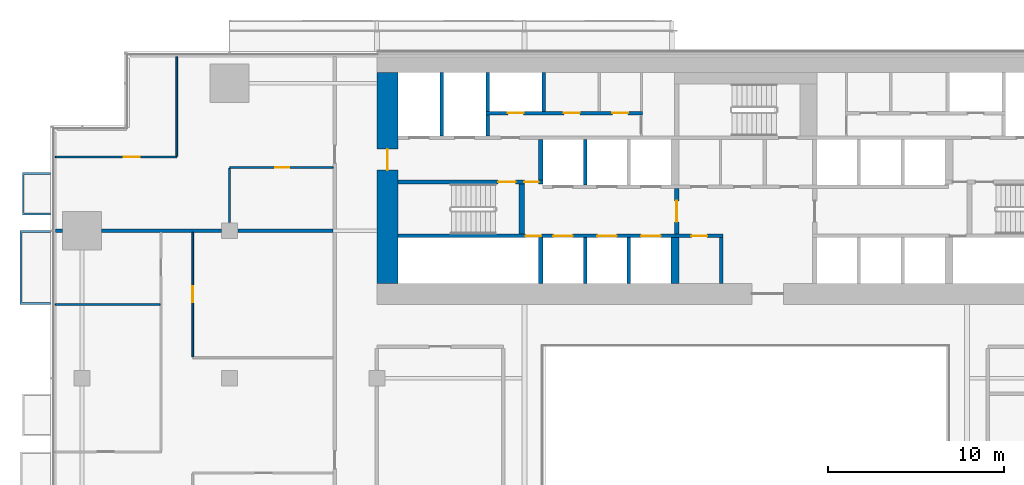
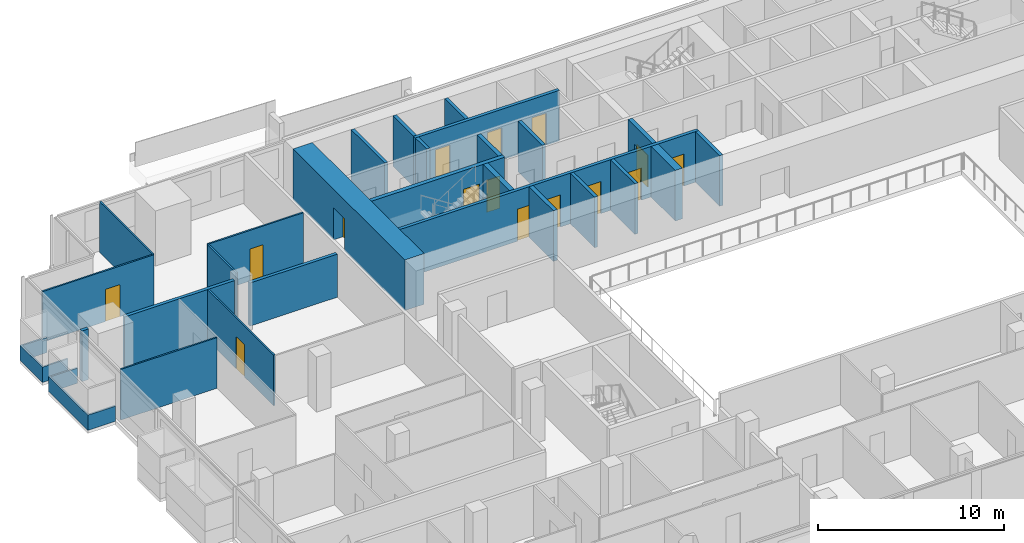
# One storey, part 20 of 27: 28 walls, 15 doors, 15 openings.
"""IFC4 building model written with IfcOpenShell, lengths in metres."""

from ifc_helpers import new_model, si_unit, direction, frame, frame_2d, origin, place, context, subcontext, project, spatial, polyline, rectangle, outline, extrude, material, layer, layer_set, type_object, element, fill, save


model = new_model("IFC4")

# Units and contexts
model_context = context("Model", 3, precision=1e-05, world=origin(), true_north=direction((0.0, 1.0)))
body_context = subcontext(model_context, "Body", "Model", "MODEL_VIEW")
ifc_project = project(units=[si_unit("LENGTHUNIT", "METRE"), si_unit("AREAUNIT", "SQUARE_METRE"), si_unit("VOLUMEUNIT", "CUBIC_METRE"), si_unit("PLANEANGLEUNIT", "RADIAN"), si_unit("MASSUNIT", "GRAM", prefix="KILO")], contexts=[model_context])

# Site, building, storey
site_placement = place(None, origin())
site = spatial("IfcSite", under=ifc_project, at=site_placement, CompositionType="ELEMENT")
building_placement = place(site_placement, origin())
building = spatial("IfcBuilding", under=site, at=building_placement, Name="Saffron Gate Tower", CompositionType="ELEMENT")
storey_placement = place(building_placement, frame((0.0, 0.0, 44.39990234375)))
storey = spatial("IfcBuildingStorey", under=building, at=storey_placement, Name="L09", CompositionType="ELEMENT", Elevation=44.39990234375)

# Wall, opening, door
ifc_material_1 = material(Name="Concrete C70", Category="concrete")
ifc_layer_1 = layer(ifc_material_1, 1.199951171875)
ifc_layer_set_1 = layer_set([ifc_layer_1], Name="CW1 RC core wall 1200 C70")
wall_type_1 = type_object("IfcWallType", Name="CW1 RC core wall 1200 C70", PredefinedType="SOLIDWALL", material=ifc_layer_set_1)
wall_1_placement = place(storey_placement, frame((67.199951171875, 62.39990234375, 0.0), z_axis=(0.0, 0.0, 1.0), x_axis=(0.0, 1.0, 0.0)))
wall_1 = element("IfcWall", 1, at=wall_1_placement, inside=storey, type_object=wall_type_1, Name="Wall CW1-L09-3", PredefinedType="SOLIDWALL", context=body_context, shape_type="SweptSolid", body=[
    extrude(rectangle(XDim=12.0, YDim=1.199951171875, at=frame_2d((6.0, 0.0))), origin(), (0.0, 0.0, 1.0), 3.320068359375),
])
opening_1_placement = place(wall_1_placement, frame((6.449951171875, 0.0, 0.0)))
opening_1 = element("IfcOpeningElement", 2, at=opening_1_placement, cuts=wall_1, Name="Opening CR-10", PredefinedType="OPENING", context=body_context, shape_type="SweptSolid", body=[
    extrude(rectangle(XDim=1.199951171875, YDim=2.10009765625, at=frame_2d((0.60009765625, 1.050048828125))), frame((0.0, 0.60986328125, 0.0), z_axis=(0.0, -1.0, 0.0), x_axis=(1.0, 0.0, 0.0)), (0.0, 0.0, 1.0), 1.219970703125),
])
ifc_material_2 = material(Name="Steel fire door set", Category="steel")
door_type_1 = type_object("IfcDoorType", Name="CD7 Core entrance door 1200x2100 EI 120", OperationType="NOTDEFINED", PredefinedType="DOOR", material=ifc_material_2)
door_1_placement = place(opening_1_placement, origin())
door_1 = element("IfcDoor", 3, at=door_1_placement, inside=storey, type_object=door_type_1, Name="DOOR CR-10", OperationType="SINGLE_SWING_LEFT", OverallHeight=2.10009765625, OverallWidth=1.199951171875, PredefinedType="DOOR", context=body_context, shape_type="SweptSolid", body=[
    extrude(rectangle(XDim=1.199951171875, YDim=2.10009765625, at=frame_2d((0.60009765625, 1.050048828125))), frame((0.0, 0.02490234375, 0.0), z_axis=(0.0, -1.0, 0.0), x_axis=(1.0, 0.0, 0.0)), (0.0, 0.0, 1.0), 0.050048828125),
])
fill(opening_1, door_1)

# Walls
ifc_material_3 = material(Name="Gypsum board partition on steel studs", Category="steel")
ifc_layer_2 = layer(ifc_material_3, 0.199951171875)
ifc_layer_set_2 = layer_set([ifc_layer_2], Name="CW10 Core partition 200")
wall_type_2 = type_object("IfcWallType", Name="CW10 Core partition 200", PredefinedType="PARTITIONING", material=ifc_layer_set_2)
wall_2_placement = place(storey_placement, frame((86.199951171875, 62.39990234375, 0.0), z_axis=(0.0, 0.0, 1.0), x_axis=(0.0, 1.0, 0.0)))
element("IfcWall", 4, at=wall_2_placement, inside=storey, type_object=wall_type_2, Name="Wall CW10-L09-9", PredefinedType="PARTITIONING", context=body_context, shape_type="SweptSolid", body=[
    extrude(rectangle(XDim=2.60009765625, YDim=0.199951171875, at=frame_2d((1.300048828125, 0.0))), origin(), (0.0, 0.0, 1.0), 3.320068359375),
])
ifc_layer_3 = layer(ifc_material_1, 0.25)
ifc_layer_set_3 = layer_set([ifc_layer_3], Name="CW2 RC core wall 250 C70")
wall_type_3 = type_object("IfcWallType", Name="CW2 RC core wall 250 C70", PredefinedType="SOLIDWALL", material=ifc_layer_set_3)
wall_3_placement = place(storey_placement, frame((75.925048828125, 62.39990234375, 0.0), z_axis=(0.0, 0.0, 1.0), x_axis=(0.0, 1.0, 0.0)))
element("IfcWall", 5, at=wall_3_placement, inside=storey, type_object=wall_type_3, Name="Wall CW2-L09-5", PredefinedType="SOLIDWALL", context=body_context, shape_type="SweptSolid", body=[
    extrude(rectangle(XDim=2.60009765625, YDim=0.25, at=frame_2d((1.300048828125, 0.0))), origin(), (0.0, 0.0, 1.0), 3.320068359375),
])

# Wall, opening, door
wall_4_placement = place(storey_placement, frame((83.675048828125, 65.199951171875, 0.0), z_axis=(0.0, 0.0, 1.0), x_axis=(0.0, 1.0, 0.0)))
wall_4 = element("IfcWall", 6, at=wall_4_placement, inside=storey, type_object=wall_type_3, Name="Wall CW2-L09-17", PredefinedType="SOLIDWALL", context=body_context, shape_type="SweptSolid", body=[
    extrude(rectangle(XDim=2.60009765625, YDim=0.25, at=frame_2d((1.300048828125, 0.0))), origin(), (0.0, 0.0, 1.0), 3.320068359375),
])
opening_2_placement = place(wall_4_placement, frame((0.699951171875, 0.0, 0.0)))
opening_2 = element("IfcOpeningElement", 7, at=opening_2_placement, cuts=wall_4, Name="Opening CR-07", PredefinedType="OPENING", context=body_context, shape_type="SweptSolid", body=[
    extrude(rectangle(XDim=1.199951171875, YDim=2.10009765625, at=frame_2d((0.60009765625, 1.050048828125))), frame((0.0, 0.135009765625, 0.0), z_axis=(0.0, -1.0, 0.0), x_axis=(1.0, 0.0, 0.0)), (0.0, 0.0, 1.0), 0.27001953125),
])
door_type_2 = type_object("IfcDoorType", Name="CD3 Lobby door 1200x2100 EI 120", OperationType="NOTDEFINED", PredefinedType="DOOR", material=ifc_material_2)
door_2_placement = place(opening_2_placement, origin())
door_2 = element("IfcDoor", 8, at=door_2_placement, inside=storey, type_object=door_type_2, Name="DOOR CR-07", OperationType="SINGLE_SWING_RIGHT", OverallHeight=2.10009765625, OverallWidth=1.199951171875, PredefinedType="DOOR", context=body_context, shape_type="SweptSolid", body=[
    extrude(rectangle(XDim=1.199951171875, YDim=2.10009765625, at=frame_2d((0.60009765625, 1.050048828125))), frame((0.0, 0.02490234375, 0.0), z_axis=(0.0, -1.0, 0.0), x_axis=(1.0, 0.0, 0.0)), (0.0, 0.0, 1.0), 0.050048828125),
])
fill(opening_2, door_2)

# Wall, openings, doors
wall_5_placement = place(storey_placement, frame((67.800048828125, 68.175048828125, 0.0), z_axis=(0.0, 0.0, 1.0), x_axis=(1.0, 0.0, 0.0)))
wall_5 = element("IfcWall", 9, at=wall_5_placement, inside=storey, type_object=wall_type_3, Name="Wall CW2-L09-30", PredefinedType="SOLIDWALL", context=body_context, shape_type="SweptSolid", body=[
    extrude(rectangle(XDim=8.25, YDim=0.25, at=frame_2d((4.125, 0.0))), origin(), (0.0, 0.0, 1.0), 3.320068359375),
])
opening_3_placement = place(wall_5_placement, frame((5.699951171875, 0.0, 0.0)))
opening_3 = element("IfcOpeningElement", 10, at=opening_3_placement, cuts=wall_5, Name="Opening CR-15", PredefinedType="OPENING", context=body_context, shape_type="SweptSolid", body=[
    extrude(rectangle(XDim=1.0, YDim=2.10009765625, at=frame_2d((0.5, 1.050048828125))), frame((0.0, 0.135009765625, 0.0), z_axis=(0.0, -1.0, 0.0), x_axis=(1.0, 0.0, 0.0)), (0.0, 0.0, 1.0), 0.27001953125),
])
opening_4_placement = place(wall_5_placement, frame((7.199951171875, 0.0, 0.0)))
opening_4 = element("IfcOpeningElement", 11, at=opening_4_placement, cuts=wall_5, Name="Opening CR-06", PredefinedType="OPENING", context=body_context, shape_type="SweptSolid", body=[
    extrude(rectangle(XDim=0.800048828125, YDim=2.10009765625, at=frame_2d((0.39990234375, 1.050048828125))), frame((0.0, 0.135009765625, 0.0), z_axis=(0.0, -1.0, 0.0), x_axis=(1.0, 0.0, 0.0)), (0.0, 0.0, 1.0), 0.27001953125),
])
door_type_3 = type_object("IfcDoorType", Name="CD5 Stair door 1000x2100 EI 120", OperationType="NOTDEFINED", PredefinedType="DOOR", material=ifc_material_2)
door_3_placement = place(opening_3_placement, origin())
door_3 = element("IfcDoor", 12, at=door_3_placement, inside=storey, type_object=door_type_3, Name="DOOR CR-15", OperationType="SINGLE_SWING_RIGHT", OverallHeight=2.10009765625, OverallWidth=1.0, PredefinedType="DOOR", context=body_context, shape_type="SweptSolid", body=[
    extrude(rectangle(XDim=1.0, YDim=2.10009765625, at=frame_2d((0.5, 1.050048828125))), frame((0.0, 0.02490234375, 0.0), z_axis=(0.0, -1.0, 0.0), x_axis=(1.0, 0.0, 0.0)), (0.0, 0.0, 1.0), 0.050048828125),
])
fill(opening_3, door_3)
door_type_4 = type_object("IfcDoorType", Name="CD6 Lobby door 800x2100 EI 120", OperationType="NOTDEFINED", PredefinedType="DOOR", material=ifc_material_2)
door_4_placement = place(opening_4_placement, origin())
door_4 = element("IfcDoor", 13, at=door_4_placement, inside=storey, type_object=door_type_4, Name="DOOR CR-06", OperationType="SINGLE_SWING_LEFT", OverallHeight=2.10009765625, OverallWidth=0.800048828125, PredefinedType="DOOR", context=body_context, shape_type="SweptSolid", body=[
    extrude(rectangle(XDim=0.800048828125, YDim=2.10009765625, at=frame_2d((0.39990234375, 1.050048828125))), frame((0.0, 0.02490234375, 0.0), z_axis=(0.0, -1.0, 0.0), x_axis=(1.0, 0.0, 0.0)), (0.0, 0.0, 1.0), 0.050048828125),
])
fill(opening_4, door_4)

# Walls
wall_6_placement = place(storey_placement, frame((75.925048828125, 68.300048828125, 0.0), z_axis=(0.0, 0.0, 1.0), x_axis=(0.0, 1.0, 0.0)))
element("IfcWall", 14, at=wall_6_placement, inside=storey, type_object=wall_type_3, Name="Wall CW2-L09-32", PredefinedType="SOLIDWALL", context=body_context, shape_type="SweptSolid", body=[
    extrude(rectangle(XDim=2.300048828125, YDim=0.25, at=frame_2d((1.14990234375, 0.0))), origin(), (0.0, 0.0, 1.0), 3.320068359375),
])
ifc_layer_4 = layer(ifc_material_1, 0.199951171875)
ifc_layer_set_4 = layer_set([ifc_layer_4], Name="CW3 RC core wall 200 C70")
wall_type_4 = type_object("IfcWallType", Name="CW3 RC core wall 200 C70", PredefinedType="SOLIDWALL", material=ifc_layer_set_4)
for number, where, z_axis, x_axis, name in (
    (15, (78.449951171875, 62.39990234375, 0.0), (0.0, 0.0, 1.0), (0.0, 1.0, 0.0), "Wall CW3-L09-6"),
    (16, (80.949951171875, 62.39990234375, 0.0), (0.0, 0.0, 1.0), (0.0, 1.0, 0.0), "Wall CW3-L09-7"),
):
    element("IfcWall", number, at=place(storey_placement, frame(where, z_axis=z_axis, x_axis=x_axis)), inside=storey, type_object=wall_type_4, Name=name, PredefinedType="SOLIDWALL", context=body_context, shape_type="SweptSolid", body=[
        extrude(rectangle(XDim=2.60009765625, YDim=0.199951171875, at=frame_2d((1.300048828125, 0.0))), origin(), (0.0, 0.0, 1.0), 3.320068359375),
    ])

# Wall, openings, doors
wall_7_placement = place(storey_placement, frame((67.800048828125, 65.10009765625, 0.0), z_axis=(0.0, 0.0, 1.0), x_axis=(1.0, 0.0, 0.0)))
wall_7 = element("IfcWall", 17, at=wall_7_placement, inside=storey, type_object=wall_type_4, Name="Wall CW3-L09-14", PredefinedType="SOLIDWALL", context=body_context, shape_type="SweptSolid", body=[
    extrude(rectangle(XDim=18.5, YDim=0.199951171875, at=frame_2d((9.25, 0.0))), origin(), (0.0, 0.0, 1.0), 3.320068359375),
])
opening_5_placement = place(wall_7_placement, frame((7.27001953125, 0.0, 0.0)))
opening_5 = element("IfcOpeningElement", 18, at=opening_5_placement, cuts=wall_7, Name="Opening CR-49", PredefinedType="OPENING", context=body_context, shape_type="SweptSolid", body=[
    extrude(rectangle(XDim=0.89990234375, YDim=2.10009765625, at=frame_2d((0.449951171875, 1.050048828125))), frame((0.0, 0.10986328125, 0.0), z_axis=(0.0, -1.0, 0.0), x_axis=(1.0, 0.0, 0.0)), (0.0, 0.0, 1.0), 0.219970703125),
])
opening_6_placement = place(wall_7_placement, frame((8.85009765625, 0.0, 0.0)))
opening_6 = element("IfcOpeningElement", 19, at=opening_6_placement, cuts=wall_7, Name="Opening LD-LR1", PredefinedType="OPENING", context=body_context, shape_type="SweptSolid", body=[
    extrude(rectangle(XDim=1.10009765625, YDim=2.10009765625, at=frame_2d((0.550048828125, 1.050048828125))), frame((0.0, 0.10986328125, 0.0), z_axis=(0.0, -1.0, 0.0), x_axis=(1.0, 0.0, 0.0)), (0.0, 0.0, 1.0), 0.219970703125),
])
opening_7_placement = place(wall_7_placement, frame((11.35009765625, 0.0, 0.0)))
opening_7 = element("IfcOpeningElement", 20, at=opening_7_placement, cuts=wall_7, Name="Opening LD-LR2", PredefinedType="OPENING", context=body_context, shape_type="SweptSolid", body=[
    extrude(rectangle(XDim=1.10009765625, YDim=2.10009765625, at=frame_2d((0.550048828125, 1.050048828125))), frame((0.0, 0.10986328125, 0.0), z_axis=(0.0, -1.0, 0.0), x_axis=(1.0, 0.0, 0.0)), (0.0, 0.0, 1.0), 0.219970703125),
])
opening_8_placement = place(wall_7_placement, frame((13.85009765625, 0.0, 0.0)))
opening_8 = element("IfcOpeningElement", 21, at=opening_8_placement, cuts=wall_7, Name="Opening LD-LR3", PredefinedType="OPENING", context=body_context, shape_type="SweptSolid", body=[
    extrude(rectangle(XDim=1.10009765625, YDim=2.10009765625, at=frame_2d((0.550048828125, 1.050048828125))), frame((0.0, 0.10986328125, 0.0), z_axis=(0.0, -1.0, 0.0), x_axis=(1.0, 0.0, 0.0)), (0.0, 0.0, 1.0), 0.219970703125),
])
opening_9_placement = place(wall_7_placement, frame((16.699951171875, 0.0, 0.0)))
opening_9 = element("IfcOpeningElement", 22, at=opening_9_placement, cuts=wall_7, Name="Opening CR-69", PredefinedType="OPENING", context=body_context, shape_type="SweptSolid", body=[
    extrude(rectangle(XDim=0.89990234375, YDim=2.10009765625, at=frame_2d((0.449951171875, 1.050048828125))), frame((0.0, 0.10986328125, 0.0), z_axis=(0.0, -1.0, 0.0), x_axis=(1.0, 0.0, 0.0)), (0.0, 0.0, 1.0), 0.219970703125),
])
door_type_5 = type_object("IfcDoorType", Name="CD2 Riser door 900x2100 EI 60", OperationType="NOTDEFINED", PredefinedType="DOOR", material=ifc_material_2)
door_5_placement = place(opening_5_placement, origin())
door_5 = element("IfcDoor", 23, at=door_5_placement, inside=storey, type_object=door_type_5, Name="DOOR CR-49", OperationType="SINGLE_SWING_LEFT", OverallHeight=2.10009765625, OverallWidth=0.89990234375, PredefinedType="DOOR", context=body_context, shape_type="SweptSolid", body=[
    extrude(rectangle(XDim=0.89990234375, YDim=2.10009765625, at=frame_2d((0.449951171875, 1.050048828125))), frame((0.0, 0.02490234375, 0.0), z_axis=(0.0, -1.0, 0.0), x_axis=(1.0, 0.0, 0.0)), (0.0, 0.0, 1.0), 0.050048828125),
])
fill(opening_5, door_5)
door_type_6 = type_object("IfcDoorType", Name="CD9 Room door 900x2100 EI 60", OperationType="NOTDEFINED", PredefinedType="DOOR", material=ifc_material_2)
door_6_placement = place(opening_9_placement, origin())
door_6 = element("IfcDoor", 24, at=door_6_placement, inside=storey, type_object=door_type_6, Name="DOOR CR-69", OperationType="SINGLE_SWING_RIGHT", OverallHeight=2.10009765625, OverallWidth=0.89990234375, PredefinedType="DOOR", context=body_context, shape_type="SweptSolid", body=[
    extrude(rectangle(XDim=0.89990234375, YDim=2.10009765625, at=frame_2d((0.449951171875, 1.050048828125))), frame((0.0, 0.02490234375, 0.0), z_axis=(0.0, -1.0, 0.0), x_axis=(1.0, 0.0, 0.0)), (0.0, 0.0, 1.0), 0.050048828125),
])
fill(opening_9, door_6)
ifc_material_4 = material(Name="Stainless steel landing door", Category="steel")
door_type_7 = type_object("IfcDoorType", Name="LD Lift landing door 1100x2100 EI 120", OperationType="SLIDING_TO_LEFT", PredefinedType="DOOR", material=ifc_material_4)
door_7_placement = place(opening_6_placement, origin())
door_7 = element("IfcDoor", 25, at=door_7_placement, inside=storey, type_object=door_type_7, Name="LANDING DOOR LD-LR1", OperationType="SLIDING_TO_LEFT", OverallHeight=2.10009765625, OverallWidth=1.10009765625, PredefinedType="DOOR", context=body_context, shape_type="SweptSolid", body=[
    extrude(rectangle(XDim=1.10009765625, YDim=2.10009765625, at=frame_2d((0.550048828125, 1.050048828125))), frame((0.0, 0.02490234375, 0.0), z_axis=(0.0, -1.0, 0.0), x_axis=(1.0, 0.0, 0.0)), (0.0, 0.0, 1.0), 0.050048828125),
])
fill(opening_6, door_7)
door_8_placement = place(opening_7_placement, origin())
door_8 = element("IfcDoor", 26, at=door_8_placement, inside=storey, type_object=door_type_7, Name="LANDING DOOR LD-LR2", OperationType="SLIDING_TO_LEFT", OverallHeight=2.10009765625, OverallWidth=1.10009765625, PredefinedType="DOOR", context=body_context, shape_type="SweptSolid", body=[
    extrude(rectangle(XDim=1.10009765625, YDim=2.10009765625, at=frame_2d((0.550048828125, 1.050048828125))), frame((0.0, 0.02490234375, 0.0), z_axis=(0.0, -1.0, 0.0), x_axis=(1.0, 0.0, 0.0)), (0.0, 0.0, 1.0), 0.050048828125),
])
fill(opening_7, door_8)
door_9_placement = place(opening_8_placement, origin())
door_9 = element("IfcDoor", 27, at=door_9_placement, inside=storey, type_object=door_type_7, Name="LANDING DOOR LD-LR3", OperationType="SLIDING_TO_LEFT", OverallHeight=2.10009765625, OverallWidth=1.10009765625, PredefinedType="DOOR", context=body_context, shape_type="SweptSolid", body=[
    extrude(rectangle(XDim=1.10009765625, YDim=2.10009765625, at=frame_2d((0.550048828125, 1.050048828125))), frame((0.0, 0.02490234375, 0.0), z_axis=(0.0, -1.0, 0.0), x_axis=(1.0, 0.0, 0.0)), (0.0, 0.0, 1.0), 0.050048828125),
])
fill(opening_8, door_9)

# Walls
wall_8_placement = place(storey_placement, frame((78.449951171875, 68.0, 0.0), z_axis=(0.0, 0.0, 1.0), x_axis=(0.0, 1.0, 0.0)))
element("IfcWall", 28, at=wall_8_placement, inside=storey, type_object=wall_type_4, Name="Wall CW3-L09-21", PredefinedType="SOLIDWALL", context=body_context, shape_type="SweptSolid", body=[
    extrude(rectangle(XDim=2.60009765625, YDim=0.199951171875, at=frame_2d((1.300048828125, 0.0))), origin(), (0.0, 0.0, 1.0), 3.320068359375),
])
wall_9_placement = place(storey_placement, frame((70.300048828125, 70.800048828125, 0.0), z_axis=(0.0, 0.0, 1.0), x_axis=(0.0, 1.0, 0.0)))
element("IfcWall", 29, at=wall_9_placement, inside=storey, type_object=wall_type_4, Name="Wall CW3-L09-35", PredefinedType="SOLIDWALL", context=body_context, shape_type="SweptSolid", body=[
    extrude(rectangle(XDim=3.599853515625, YDim=0.199951171875, at=frame_2d((1.7998046875, 0.0))), origin(), (0.0, 0.0, 1.0), 3.320068359375),
])
wall_10_placement = place(storey_placement, frame((72.89990234375, 70.800048828125, 0.0), z_axis=(0.0, 0.0, 1.0), x_axis=(0.0, 1.0, 0.0)))
element("IfcWall", 30, at=wall_10_placement, inside=storey, type_object=wall_type_4, Name="Wall CW3-L09-36", PredefinedType="SOLIDWALL", context=body_context, shape_type="SweptSolid", body=[
    extrude(rectangle(XDim=1.199951171875, YDim=0.199951171875, at=frame_2d((0.60009765625, 0.0))), origin(), (0.0, 0.0, 1.0), 3.320068359375),
])

# Wall, openings, doors
wall_11_placement = place(storey_placement, frame((72.800048828125, 72.10009765625, 0.0), z_axis=(0.0, 0.0, 1.0), x_axis=(1.0, 0.0, 0.0)))
wall_11 = element("IfcWall", 31, at=wall_11_placement, inside=storey, type_object=wall_type_4, Name="Wall CW3-L09-43", PredefinedType="SOLIDWALL", context=body_context, shape_type="SweptSolid", body=[
    extrude(rectangle(XDim=8.919921875, YDim=0.199951171875, at=frame_2d((4.4599609375, 0.0))), origin(), (0.0, 0.0, 1.0), 3.320068359375),
])
opening_10_placement = place(wall_11_placement, frame((1.25, 0.0, 0.0)))
opening_10 = element("IfcOpeningElement", 32, at=opening_10_placement, cuts=wall_11, Name="Opening CR-71", PredefinedType="OPENING", context=body_context, shape_type="SweptSolid", body=[
    extrude(rectangle(XDim=0.89990234375, YDim=2.10009765625, at=frame_2d((0.449951171875, 1.050048828125))), frame((0.0, 0.10986328125, 0.0), z_axis=(0.0, -1.0, 0.0), x_axis=(1.0, 0.0, 0.0)), (0.0, 0.0, 1.0), 0.219970703125),
])
opening_11_placement = place(wall_11_placement, frame((4.449951171875, 0.0, 0.0)))
opening_11 = element("IfcOpeningElement", 33, at=opening_11_placement, cuts=wall_11, Name="Opening CR-55", PredefinedType="OPENING", context=body_context, shape_type="SweptSolid", body=[
    extrude(rectangle(XDim=0.89990234375, YDim=2.10009765625, at=frame_2d((0.449951171875, 1.050048828125))), frame((0.0, 0.10986328125, 0.0), z_axis=(0.0, -1.0, 0.0), x_axis=(1.0, 0.0, 0.0)), (0.0, 0.0, 1.0), 0.219970703125),
])
opening_12_placement = place(wall_11_placement, frame((7.2099609375, 0.0, 0.0)))
opening_12 = element("IfcOpeningElement", 34, at=opening_12_placement, cuts=wall_11, Name="Opening CR-58", PredefinedType="OPENING", context=body_context, shape_type="SweptSolid", body=[
    extrude(rectangle(XDim=0.89990234375, YDim=2.10009765625, at=frame_2d((0.449951171875, 1.050048828125))), frame((0.0, 0.10986328125, 0.0), z_axis=(0.0, -1.0, 0.0), x_axis=(1.0, 0.0, 0.0)), (0.0, 0.0, 1.0), 0.219970703125),
])
door_10_placement = place(opening_10_placement, origin())
door_10 = element("IfcDoor", 35, at=door_10_placement, inside=storey, type_object=door_type_5, Name="DOOR CR-71", OperationType="SINGLE_SWING_LEFT", OverallHeight=2.10009765625, OverallWidth=0.89990234375, PredefinedType="DOOR", context=body_context, shape_type="SweptSolid", body=[
    extrude(rectangle(XDim=0.89990234375, YDim=2.10009765625, at=frame_2d((0.449951171875, 1.050048828125))), frame((0.0, 0.02490234375, 0.0), z_axis=(0.0, -1.0, 0.0), x_axis=(1.0, 0.0, 0.0)), (0.0, 0.0, 1.0), 0.050048828125),
])
fill(opening_10, door_10)
door_11_placement = place(opening_11_placement, origin())
door_11 = element("IfcDoor", 36, at=door_11_placement, inside=storey, type_object=door_type_6, Name="DOOR CR-55", OperationType="SINGLE_SWING_LEFT", OverallHeight=2.10009765625, OverallWidth=0.89990234375, PredefinedType="DOOR", context=body_context, shape_type="SweptSolid", body=[
    extrude(rectangle(XDim=0.89990234375, YDim=2.10009765625, at=frame_2d((0.449951171875, 1.050048828125))), frame((0.0, 0.02490234375, 0.0), z_axis=(0.0, -1.0, 0.0), x_axis=(1.0, 0.0, 0.0)), (0.0, 0.0, 1.0), 0.050048828125),
])
fill(opening_11, door_11)
door_12_placement = place(opening_12_placement, origin())
door_12 = element("IfcDoor", 37, at=door_12_placement, inside=storey, type_object=door_type_6, Name="DOOR CR-58", OperationType="SINGLE_SWING_LEFT", OverallHeight=2.10009765625, OverallWidth=0.89990234375, PredefinedType="DOOR", context=body_context, shape_type="SweptSolid", body=[
    extrude(rectangle(XDim=0.89990234375, YDim=2.10009765625, at=frame_2d((0.449951171875, 1.050048828125))), frame((0.0, 0.02490234375, 0.0), z_axis=(0.0, -1.0, 0.0), x_axis=(1.0, 0.0, 0.0)), (0.0, 0.0, 1.0), 0.050048828125),
])
fill(opening_12, door_12)

# Walls
for number, where, z_axis, x_axis, name in (
    (38, (72.89990234375, 72.199951171875, 0.0), (0.0, 0.0, 1.0), (0.0, 1.0, 0.0), "Wall CW3-L09-45"),
    (39, (76.10009765625, 72.199951171875, 0.0), (0.0, 0.0, 1.0), (0.0, 1.0, 0.0), "Wall CW3-L09-46"),
):
    element("IfcWall", number, at=place(storey_placement, frame(where, z_axis=z_axis, x_axis=x_axis)), inside=storey, type_object=wall_type_4, Name=name, PredefinedType="SOLIDWALL", context=body_context, shape_type="SweptSolid", body=[
        extrude(rectangle(XDim=2.199951171875, YDim=0.199951171875, at=frame_2d((1.10009765625, 0.0))), origin(), (0.0, 0.0, 1.0), 3.320068359375),
    ])
ifc_layer_5 = layer(ifc_material_1, 0.449951171875)
ifc_layer_set_5 = layer_set([ifc_layer_5], Name="CW4 RC core wall 450 C70")
wall_type_5 = type_object("IfcWallType", Name="CW4 RC core wall 450 C70", PredefinedType="SOLIDWALL", material=ifc_layer_set_5)
wall_12_placement = place(storey_placement, frame((83.574951171875, 62.39990234375, 0.0), z_axis=(0.0, 0.0, 1.0), x_axis=(0.0, 1.0, 0.0)))
element("IfcWall", 40, at=wall_12_placement, inside=storey, type_object=wall_type_5, Name="Wall CW4-L09-8", PredefinedType="SOLIDWALL", context=body_context, shape_type="SweptSolid", body=[
    extrude(rectangle(XDim=2.60009765625, YDim=0.449951171875, at=frame_2d((1.300048828125, 0.0))), origin(), (0.0, 0.0, 1.0), 3.320068359375),
])
ifc_layer_6 = layer(ifc_material_1, 0.300048828125)
ifc_layer_set_6 = layer_set([ifc_layer_6], Name="CW5 RC core wall 300 C70")
wall_type_6 = type_object("IfcWallType", Name="CW5 RC core wall 300 C70", PredefinedType="SOLIDWALL", material=ifc_layer_set_6)
wall_13_placement = place(storey_placement, frame((74.85009765625, 65.199951171875, 0.0), z_axis=(0.0, 0.0, 1.0), x_axis=(0.0, 1.0, 0.0)))
element("IfcWall", 41, at=wall_13_placement, inside=storey, type_object=wall_type_6, Name="Wall CW5-L09-16", PredefinedType="SOLIDWALL", context=body_context, shape_type="SweptSolid", body=[
    extrude(rectangle(XDim=2.85009765625, YDim=0.300048828125, at=frame_2d((1.425048828125, 0.0))), origin(), (0.0, 0.0, 1.0), 3.320068359375),
])
ifc_material_5 = material(Name="Plasterboard on steel studs", Category="steel")
ifc_layer_7 = layer(ifc_material_5, 0.10009765625)
ifc_layer_set_7 = layer_set([ifc_layer_7], Name="PW1 Partition 100")
wall_type_7 = type_object("IfcWallType", Name="PW1 Partition 100", PredefinedType="PARTITIONING", material=ifc_layer_set_7)
wall_14_placement = place(storey_placement, frame((48.280029296875, 61.199951171875, 0.0), z_axis=(0.0, 0.0, 1.0), x_axis=(1.0, 0.0, 0.0)))
element("IfcWall", 42, at=wall_14_placement, inside=storey, type_object=wall_type_7, Name="Partition A1-40", PredefinedType="PARTITIONING", context=body_context, shape_type="SweptSolid", body=[
    extrude(rectangle(XDim=5.969970703125, YDim=0.10009765625, at=frame_2d((2.98486328125, 0.0))), origin(), (0.0, 0.0, 1.0), 3.320068359375),
])

# Wall, opening, door
wall_15_placement = place(storey_placement, frame((64.10009765625, 69.0, 0.0), z_axis=(0.0, 0.0, 1.0), x_axis=(-1.0, 0.0, 0.0)))
wall_15 = element("IfcWall", 43, at=wall_15_placement, inside=storey, type_object=wall_type_7, Name="Partition A1-49", PredefinedType="PARTITIONING", context=body_context, shape_type="SweptSolid", body=[
    extrude(rectangle(XDim=5.900146484375, YDim=0.10009765625, at=frame_2d((2.9501953125, 0.0))), origin(), (0.0, 0.0, 1.0), 3.320068359375),
])
opening_13_placement = place(wall_15_placement, frame((2.5, 0.0, 0.0)))
opening_13 = element("IfcOpeningElement", 44, at=opening_13_placement, cuts=wall_15, Name="Opening A1-44", PredefinedType="OPENING", context=body_context, shape_type="SweptSolid", body=[
    extrude(rectangle(XDim=0.800048828125, YDim=2.10009765625, at=frame_2d((0.39990234375, 1.050048828125))), frame((0.0, 0.06005859375, 0.0), z_axis=(0.0, -1.0, 0.0), x_axis=(1.0, 0.0, 0.0)), (0.0, 0.0, 1.0), 0.1201171875),
])
ifc_material_6 = material(Name="Timber door set", Category="wood")
door_type_8 = type_object("IfcDoorType", Name="RD2 Bathroom door 800x2100", OperationType="NOTDEFINED", PredefinedType="DOOR", material=ifc_material_6)
door_13_placement = place(opening_13_placement, origin())
door_13 = element("IfcDoor", 45, at=door_13_placement, inside=storey, type_object=door_type_8, Name="Door A1-44", OperationType="SINGLE_SWING_LEFT", OverallHeight=2.10009765625, OverallWidth=0.800048828125, PredefinedType="DOOR", context=body_context, shape_type="SweptSolid", body=[
    extrude(rectangle(XDim=0.800048828125, YDim=2.10009765625, at=frame_2d((0.39990234375, 1.050048828125))), frame((0.0, 0.02490234375, 0.0), z_axis=(0.0, -1.0, 0.0), x_axis=(1.0, 0.0, 0.0)), (0.0, 0.0, 1.0), 0.050048828125),
])
fill(opening_13, door_13)

wall_16_placement = place(storey_placement, frame((48.280029296875, 69.60009765625, 0.0), z_axis=(0.0, 0.0, 1.0), x_axis=(1.0, 0.0, 0.0)))
wall_16 = element("IfcWall", 46, at=wall_16_placement, inside=storey, type_object=wall_type_7, Name="Partition A1-50", PredefinedType="PARTITIONING", context=body_context, shape_type="SweptSolid", body=[
    extrude(rectangle(XDim=6.919921875, YDim=0.10009765625, at=frame_2d((3.4599609375, 0.0))), origin(), (0.0, 0.0, 1.0), 3.320068359375),
])
opening_14_placement = place(wall_16_placement, frame((3.9052734375, 0.0, 0.0)))
opening_14 = element("IfcOpeningElement", 47, at=opening_14_placement, cuts=wall_16, Name="Opening A1-28", PredefinedType="OPENING", context=body_context, shape_type="SweptSolid", body=[
    extrude(rectangle(XDim=0.89990234375, YDim=2.10009765625, at=frame_2d((0.449951171875, 1.050048828125))), frame((0.0, 0.06005859375, 0.0), z_axis=(0.0, -1.0, 0.0), x_axis=(1.0, 0.0, 0.0)), (0.0, 0.0, 1.0), 0.1201171875),
])
door_type_9 = type_object("IfcDoorType", Name="RD1 Room door 900x2100", OperationType="NOTDEFINED", PredefinedType="DOOR", material=ifc_material_6)
door_14_placement = place(opening_14_placement, origin())
door_14 = element("IfcDoor", 48, at=door_14_placement, inside=storey, type_object=door_type_9, Name="Door A1-28", OperationType="SINGLE_SWING_RIGHT", OverallHeight=2.10009765625, OverallWidth=0.89990234375, PredefinedType="DOOR", context=body_context, shape_type="SweptSolid", body=[
    extrude(rectangle(XDim=0.89990234375, YDim=2.10009765625, at=frame_2d((0.449951171875, 1.050048828125))), frame((0.0, 0.02490234375, 0.0), z_axis=(0.0, -1.0, 0.0), x_axis=(1.0, 0.0, 0.0)), (0.0, 0.0, 1.0), 0.050048828125),
])
fill(opening_14, door_14)

# Wall
wall_17_placement = place(storey_placement, frame((55.199951171875, 75.320068359375, 0.0), z_axis=(0.0, 0.0, 1.0), x_axis=(0.0, -1.0, 0.0)))
element("IfcWall", 49, at=wall_17_placement, inside=storey, type_object=wall_type_7, Name="Partition A1-55", PredefinedType="PARTITIONING", context=body_context, shape_type="SweptSolid", body=[
    extrude(rectangle(XDim=5.670166015625, YDim=0.10009765625, at=frame_2d((2.8349609375, 0.0))), origin(), (0.0, 0.0, 1.0), 3.320068359375),
])

# Wall, opening, door
wall_18_placement = place(storey_placement, frame((56.10009765625, 65.300048828125, 0.0), z_axis=(0.0, 0.0, 1.0), x_axis=(0.0, -1.0, 0.0)))
wall_18 = element("IfcWall", 50, at=wall_18_placement, inside=storey, type_object=wall_type_7, Name="Partition A1-58", PredefinedType="PARTITIONING", context=body_context, shape_type="SweptSolid", body=[
    extrude(rectangle(XDim=7.08837890625, YDim=0.10009765625, at=frame_2d((3.544189453125, 0.0))), origin(), (0.0, 0.0, 1.0), 3.320068359375),
])
opening_15_placement = place(wall_18_placement, frame((3.069091796875, 0.0, 0.0)))
opening_15 = element("IfcOpeningElement", 51, at=opening_15_placement, cuts=wall_18, Name="Opening A1-26", PredefinedType="OPENING", context=body_context, shape_type="SweptSolid", body=[
    extrude(rectangle(XDim=0.89990234375, YDim=2.10009765625, at=frame_2d((0.449951171875, 1.050048828125))), frame((0.0, 0.06005859375, 0.0), z_axis=(0.0, -1.0, 0.0), x_axis=(1.0, 0.0, 0.0)), (0.0, 0.0, 1.0), 0.1201171875),
])
door_15_placement = place(opening_15_placement, origin())
door_15 = element("IfcDoor", 52, at=door_15_placement, inside=storey, type_object=door_type_9, Name="Door A1-26", OperationType="SINGLE_SWING_LEFT", OverallHeight=2.10009765625, OverallWidth=0.89990234375, PredefinedType="DOOR", context=body_context, shape_type="SweptSolid", body=[
    extrude(rectangle(XDim=0.89990234375, YDim=2.10009765625, at=frame_2d((0.449951171875, 1.050048828125))), frame((0.0, 0.02490234375, 0.0), z_axis=(0.0, -1.0, 0.0), x_axis=(1.0, 0.0, 0.0)), (0.0, 0.0, 1.0), 0.050048828125),
])
fill(opening_15, door_15)

# Walls
wall_19_placement = place(storey_placement, frame((58.199951171875, 68.949951171875, 0.0), z_axis=(0.0, 0.0, 1.0), x_axis=(0.0, -1.0, 0.0)))
element("IfcWall", 53, at=wall_19_placement, inside=storey, type_object=wall_type_7, Name="Partition A1-61", PredefinedType="PARTITIONING", context=body_context, shape_type="SweptSolid", body=[
    extrude(rectangle(XDim=3.079833984375, YDim=0.10009765625, at=frame_2d((1.5400390625, 0.0))), origin(), (0.0, 0.0, 1.0), 3.320068359375),
])
ifc_material_7 = material(Name="Clay brick masonry, rendered", Category="masonry")
ifc_layer_8 = layer(ifc_material_7, 0.199951171875)
ifc_layer_set_8 = layer_set([ifc_layer_8], Name="PW2 Demising wall 200")
wall_type_8 = type_object("IfcWallType", Name="PW2 Demising wall 200", PredefinedType="PARTITIONING", material=ifc_layer_set_8)
wall_20_placement = place(storey_placement, frame((48.280029296875, 65.39990234375, 0.0), z_axis=(0.0, 0.0, 1.0), x_axis=(1.0, 0.0, 0.0)))
element("IfcWall", 54, at=wall_20_placement, inside=storey, type_object=wall_type_8, Name="Wall A1-42", PredefinedType="PARTITIONING", context=body_context, shape_type="SweptSolid", body=[
    extrude(rectangle(XDim=0.39990234375, YDim=0.199951171875, at=frame_2d((0.199951171875, 0.0))), origin(), (0.0, 0.0, 1.0), 3.320068359375),
])
wall_21_placement = place(storey_placement, frame((50.919921875, 65.39990234375, 0.0), z_axis=(0.0, 0.0, 1.0), x_axis=(1.0, 0.0, 0.0)))
element("IfcWall", 55, at=wall_21_placement, inside=storey, type_object=wall_type_8, Name="Wall A1-43", PredefinedType="PARTITIONING", context=body_context, shape_type="SweptSolid", body=[
    extrude(rectangle(XDim=6.81005859375, YDim=0.199951171875, at=frame_2d((3.405029296875, 0.0))), origin(), (0.0, 0.0, 1.0), 3.320068359375),
])
wall_22_placement = place(storey_placement, frame((58.669921875, 65.39990234375, 0.0), z_axis=(0.0, 0.0, 1.0), x_axis=(1.0, 0.0, 0.0)))
element("IfcWall", 56, at=wall_22_placement, inside=storey, type_object=wall_type_8, Name="Wall A1-44", PredefinedType="PARTITIONING", context=body_context, shape_type="SweptSolid", body=[
    extrude(rectangle(XDim=5.43017578125, YDim=0.199951171875, at=frame_2d((2.715087890625, 0.0))), origin(), (0.0, 0.0, 1.0), 2.820068359375),
])
ifc_material_8 = material(Name="Rendered insulated panel, white")
ifc_layer_9 = layer(ifc_material_8, 0.10009765625)
ifc_layer_set_9 = layer_set([ifc_layer_9], Name="WB3 box parapet white")
wall_type_9 = type_object("IfcWallType", Name="WB3 box parapet white", PredefinedType="SOLIDWALL", material=ifc_layer_set_9)
wall_23_placement = place(storey_placement, origin())
element("IfcWall", 57, at=wall_23_placement, inside=storey, type_object=wall_type_9, Name="WINDOW BOX parapet", PredefinedType="SOLIDWALL", context=body_context, shape_type="SweptSolid", body=[
    extrude(outline(polyline([(48.0, 68.699951171875), (48.0, 68.60009765625), (46.5, 68.60009765625), (46.5, 66.39990234375), (48.0, 66.39990234375), (48.0, 66.300048828125), (46.39990234375, 66.300048828125), (46.39990234375, 68.699951171875), (48.0, 68.699951171875)])), origin(), (0.0, 0.0, 1.0), 1.0),
])
wall_24_placement = place(storey_placement, origin())
element("IfcWall", 58, at=wall_24_placement, inside=storey, type_object=wall_type_9, Name="WINDOW BOX parapet", PredefinedType="SOLIDWALL", context=body_context, shape_type="SweptSolid", body=[
    extrude(outline(polyline([(48.0, 65.39990234375), (48.0, 65.300048828125), (46.366943359375, 65.300048828125), (46.366943359375, 61.300048828125), (48.0, 61.300048828125), (48.0, 61.199951171875), (46.26708984375, 61.199951171875), (46.26708984375, 65.39990234375), (48.0, 65.39990234375)])), origin(), (0.0, 0.0, 1.0), 1.0),
])

save(model, "model.ifc")
